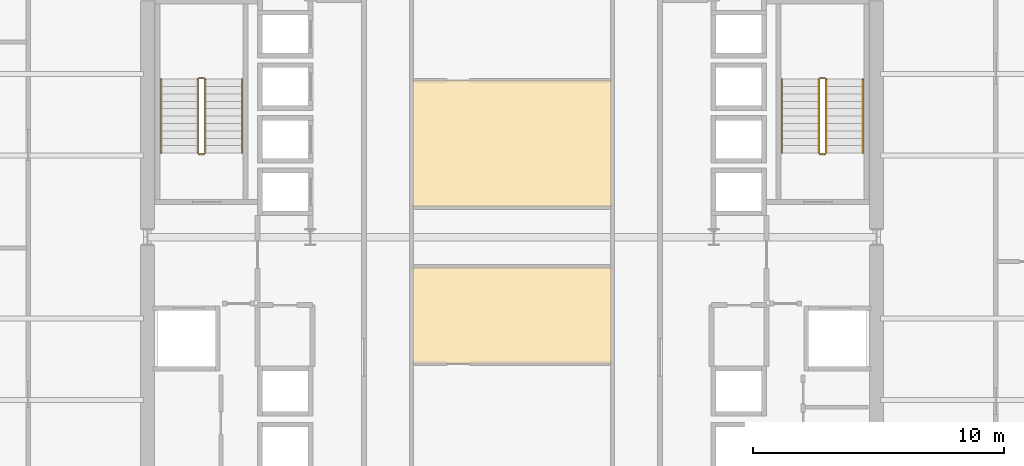
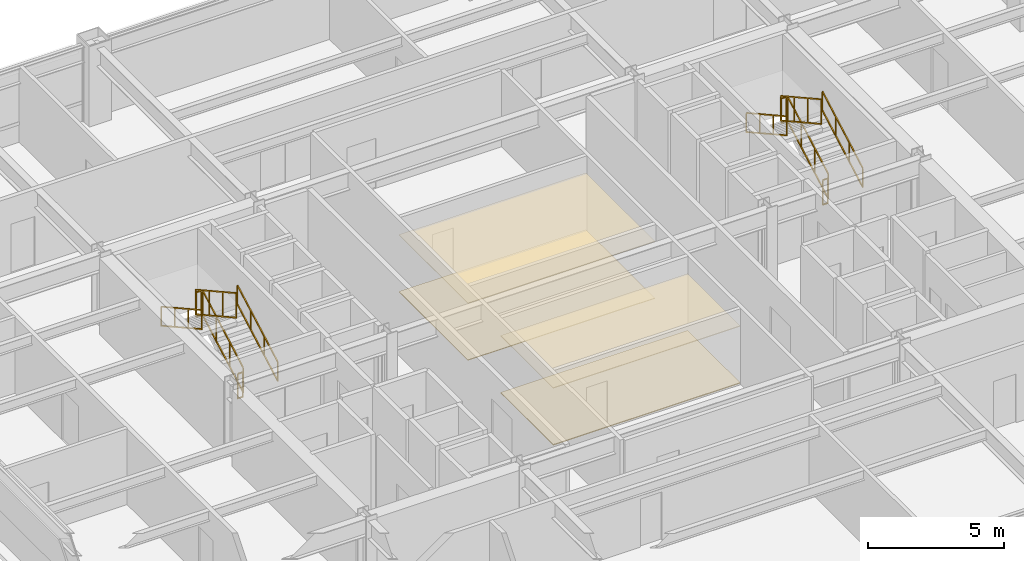
# One storey, part 28 of 28: 12 railings, 4 coverings.
"""IFC4 building model written with IfcOpenShell, lengths in metres."""

from ifc_helpers import new_model, si_unit, direction, frame, origin, origin_2d, place, context, subcontext, project, spatial, polyline, rectangle, outline, extrude, material, layer, layer_set, type_object, element, save


model = new_model("IFC4")

# Units and contexts
model_context = context("Model", 3, precision=1e-05, world=origin(), true_north=direction((0.0, 1.0)))
body_context = subcontext(model_context, "Body", "Model", "MODEL_VIEW")
ifc_project = project(units=[si_unit("LENGTHUNIT", "METRE"), si_unit("AREAUNIT", "SQUARE_METRE"), si_unit("VOLUMEUNIT", "CUBIC_METRE"), si_unit("PLANEANGLEUNIT", "RADIAN"), si_unit("MASSUNIT", "GRAM", prefix="KILO")], contexts=[model_context])

# Site, building, storey
site_placement = place(None, origin())
site = spatial("IfcSite", under=ifc_project, at=site_placement, CompositionType="ELEMENT")
building_placement = place(site_placement, origin())
building = spatial("IfcBuilding", under=site, at=building_placement, Name="Brelmoor Portico Tower", CompositionType="ELEMENT")
storey_placement = place(building_placement, frame((0.0, 0.0, 49.199951171875)))
storey = spatial("IfcBuildingStorey", under=building, at=storey_placement, Name="L12", CompositionType="ELEMENT", Elevation=49.199951171875)

# Coverings
ifc_material_1 = material(Name="Perforated Mineral-Fibre Acoustic Ceiling Tile", Category="gypsum")
ifc_layer_1 = layer(ifc_material_1, 0.02490234375)
ifc_layer_set_1 = layer_set([ifc_layer_1], Name="Perforated Mineral-Fibre Acoustic Ceiling Tile")
covering_type_1 = type_object("IfcCoveringType", Name="CV-CEIL-GYPSUM-25", PredefinedType="CEILING", material=ifc_layer_set_1)
covering_1_placement = place(storey_placement, frame((0.0, 0.0, 2.550048828125)))
element("IfcCovering", 1, at=covering_1_placement, inside=storey, type_object=covering_type_1, Name="L12 Acoustic Suspended Ceiling 01", PredefinedType="CEILING", context=body_context, shape_type="SweptSolid", body=[
    extrude(outline(polyline([(-3.9599609375, 1.199951171875), (-3.9599609375, 6.260009765625), (3.9599609375, 6.260009765625), (3.9599609375, 1.199951171875), (-3.9599609375, 1.199951171875)])), origin(), (0.0, 0.0, 1.0), 0.02490234375),
])
ifc_material_2 = material(Name="Micro-Perforated Aluminium Clip-In Ceiling", Category="aluminium")
ifc_layer_2 = layer(ifc_material_2, 0.031982421875)
ifc_layer_set_2 = layer_set([ifc_layer_2], Name="Micro-Perforated Aluminium Clip-In Ceiling")
covering_type_2 = type_object("IfcCoveringType", Name="CV-CEIL-METAL-32", PredefinedType="CEILING", material=ifc_layer_set_2)
covering_2_placement = place(storey_placement, frame((0.0, 0.0, 2.550048828125)))
element("IfcCovering", 2, at=covering_2_placement, inside=storey, type_object=covering_type_2, Name="L12 Acoustic Suspended Ceiling 02", PredefinedType="CEILING", context=body_context, shape_type="SweptSolid", body=[
    extrude(outline(polyline([(-3.9599609375, -5.06005859375), (-3.9599609375, -1.199951171875), (3.9599609375, -1.199951171875), (3.9599609375, -5.06005859375), (-3.9599609375, -5.06005859375)])), origin(), (0.0, 0.0, 1.0), 0.031982421875),
])
ifc_material_3 = material(Name="Honed Pearl-Grey Granite Paver Finish", Category="masonry")
ifc_layer_3 = layer(ifc_material_3, 0.0380859375)
ifc_layer_set_3 = layer_set([ifc_layer_3], Name="Honed Pearl-Grey Granite Paver Finish")
covering_type_3 = type_object("IfcCoveringType", Name="CV-FLR-GRANITE-38", PredefinedType="FLOORING", material=ifc_layer_set_3)
covering_3_placement = place(storey_placement, origin())
element("IfcCovering", 3, at=covering_3_placement, inside=storey, type_object=covering_type_3, Name="L12 Architectural Floor Finish 02", PredefinedType="FLOORING", context=body_context, shape_type="SweptSolid", body=[
    extrude(outline(polyline([(-3.9599609375, -5.06005859375), (-3.9599609375, -1.199951171875), (3.9599609375, -1.199951171875), (3.9599609375, -5.06005859375), (-3.9599609375, -5.06005859375)])), origin(), (0.0, 0.0, 1.0), 0.0380859375),
])
ifc_material_4 = material(Name="Polished Pale-Aggregate Cementitious Terrazzo", Category="stone")
ifc_layer_4 = layer(ifc_material_4, 0.030029296875)
ifc_layer_set_4 = layer_set([ifc_layer_4], Name="Polished Pale-Aggregate Cementitious Terrazzo")
covering_type_4 = type_object("IfcCoveringType", Name="CV-FLR-TERRAZZO-30", PredefinedType="FLOORING", material=ifc_layer_set_4)
covering_4_placement = place(storey_placement, origin())
element("IfcCovering", 4, at=covering_4_placement, inside=storey, type_object=covering_type_4, Name="L12 Architectural Floor Finish 01", PredefinedType="FLOORING", context=body_context, shape_type="SweptSolid", body=[
    extrude(outline(polyline([(-3.9599609375, 1.199951171875), (-3.9599609375, 6.260009765625), (3.9599609375, 6.260009765625), (3.9599609375, 1.199951171875), (-3.9599609375, 1.199951171875)])), origin(), (0.0, 0.0, 1.0), 0.030029296875),
])

# Railings
ifc_material_5 = material(Name="Painted Tubular Steel Q235B", Category="steel")
railing_type_1 = type_object("IfcRailingType", Name="RL-STAIR-GUARD", PredefinedType="GUARDRAIL", material=ifc_material_5)
railing_1_placement = place(storey_placement, frame((-12.239990234375, 3.35009765625, 0.16357421875)))
element("IfcRailing", 5, at=railing_1_placement, inside=storey, type_object=railing_type_1, Name="L12 ST-W stair guard 1", PredefinedType="GUARDRAIL", context=body_context, shape_type="SweptSolid", body=[
    extrude(rectangle(XDim=0.048095703125, YDim=0.048095703125, at=origin_2d()), frame((0.0, 0.0, 1.1259765625), z_axis=(0.0, 0.874457516365, 0.485102104791), x_axis=(-1.0, 0.0, 0.0)), (0.0, 0.0, 1.0), 3.37353515625),
    extrude(rectangle(XDim=0.048095703125, YDim=0.048095703125, at=origin_2d()), frame((0.0, 0.0, 0.02392578125), z_axis=(0.0, 0.874457516365, 0.485102104791), x_axis=(-1.0, 0.0, 0.0)), (0.0, 0.0, 1.0), 3.37353515625),
    extrude(rectangle(XDim=0.0419921875, YDim=0.0419921875, at=origin_2d()), origin(), (0.0, 0.0, 1.0), 1.101806640625),
    extrude(rectangle(XDim=0.0419921875, YDim=0.0419921875, at=origin_2d()), frame((0.0, 0.9833984375, 0.54541015625)), (0.0, 0.0, 1.0), 1.101806640625),
    extrude(rectangle(XDim=0.0419921875, YDim=0.0419921875, at=origin_2d()), frame((0.0, 1.966552734375, 1.091064453125)), (0.0, 0.0, 1.0), 1.101806640625),
    extrude(rectangle(XDim=0.0419921875, YDim=0.0419921875, at=origin_2d()), frame((0.0, 2.949951171875, 1.636474609375)), (0.0, 0.0, 1.0), 1.101806640625),
])
railing_2_placement = place(storey_placement, frame((-12.2900390625, 6.35009765625, 1.800048828125)))
element("IfcRailing", 6, at=railing_2_placement, inside=storey, type_object=railing_type_1, Name="L12 ST-W stair guard 2", PredefinedType="GUARDRAIL", context=body_context, shape_type="SweptSolid", body=[
    extrude(rectangle(XDim=0.048095703125, YDim=0.048095703125, at=origin_2d()), frame((0.0, 0.0, 1.1259765625), z_axis=(-1.0, 0.0, 0.0), x_axis=(0.0, -1.0, 0.0)), (0.0, 0.0, 1.0), 0.199951171875),
    extrude(rectangle(XDim=0.048095703125, YDim=0.048095703125, at=origin_2d()), frame((0.0, 0.0, 0.02392578125), z_axis=(-1.0, 0.0, 0.0), x_axis=(0.0, -1.0, 0.0)), (0.0, 0.0, 1.0), 0.199951171875),
    extrude(rectangle(XDim=0.0419921875, YDim=0.0419921875, at=origin_2d()), origin(), (0.0, 0.0, 1.0), 1.101806640625),
    extrude(rectangle(XDim=0.0419921875, YDim=0.0419921875, at=origin_2d()), frame((-0.199951171875, 0.0, 0.0)), (0.0, 0.0, 1.0), 1.101806640625),
])
railing_3_placement = place(storey_placement, frame((-12.5400390625, 6.300048828125, 1.963623046875)))
element("IfcRailing", 7, at=railing_3_placement, inside=storey, type_object=railing_type_1, Name="L12 ST-W stair guard 3", PredefinedType="GUARDRAIL", context=body_context, shape_type="SweptSolid", body=[
    extrude(rectangle(XDim=0.048095703125, YDim=0.048095703125, at=origin_2d()), frame((0.0, 0.0, 1.1259765625), z_axis=(0.0, -0.874457516365, 0.485102104791), x_axis=(1.0, 0.0, 0.0)), (0.0, 0.0, 1.0), 3.37353515625),
    extrude(rectangle(XDim=0.048095703125, YDim=0.048095703125, at=origin_2d()), frame((0.0, 0.0, 0.02392578125), z_axis=(0.0, -0.874457516365, 0.485102104791), x_axis=(1.0, 0.0, 0.0)), (0.0, 0.0, 1.0), 3.37353515625),
    extrude(rectangle(XDim=0.0419921875, YDim=0.0419921875, at=origin_2d()), origin(), (0.0, 0.0, 1.0), 1.101806640625),
    extrude(rectangle(XDim=0.0419921875, YDim=0.0419921875, at=origin_2d()), frame((0.0, -0.9833984375, 0.54541015625)), (0.0, 0.0, 1.0), 1.101806640625),
    extrude(rectangle(XDim=0.0419921875, YDim=0.0419921875, at=origin_2d()), frame((0.0, -1.966552734375, 1.091064453125)), (0.0, 0.0, 1.0), 1.101806640625),
    extrude(rectangle(XDim=0.0419921875, YDim=0.0419921875, at=origin_2d()), frame((0.0, -2.949951171875, 1.636474609375)), (0.0, 0.0, 1.0), 1.101806640625),
])
railing_4_placement = place(storey_placement, frame((-12.2900390625, 3.300048828125, 0.0)))
element("IfcRailing", 8, at=railing_4_placement, inside=storey, type_object=railing_type_1, Name="L12 ST-W stair guard 4", PredefinedType="GUARDRAIL", context=body_context, shape_type="SweptSolid", body=[
    extrude(rectangle(XDim=0.048095703125, YDim=0.048095703125, at=origin_2d()), frame((0.0, 0.0, 1.1259765625), z_axis=(-1.0, 0.0, 0.0), x_axis=(0.0, -1.0, 0.0)), (0.0, 0.0, 1.0), 0.199951171875),
    extrude(rectangle(XDim=0.048095703125, YDim=0.048095703125, at=origin_2d()), frame((0.0, 0.0, 0.02392578125), z_axis=(-1.0, 0.0, 0.0), x_axis=(0.0, -1.0, 0.0)), (0.0, 0.0, 1.0), 0.199951171875),
    extrude(rectangle(XDim=0.0419921875, YDim=0.0419921875, at=origin_2d()), origin(), (0.0, 0.0, 1.0), 1.101806640625),
    extrude(rectangle(XDim=0.0419921875, YDim=0.0419921875, at=origin_2d()), frame((-0.199951171875, 0.0, 0.0)), (0.0, 0.0, 1.0), 1.101806640625),
])
railing_5_placement = place(storey_placement, frame((12.5400390625, 3.35009765625, 0.16357421875)))
element("IfcRailing", 9, at=railing_5_placement, inside=storey, type_object=railing_type_1, Name="L12 ST-E stair guard 1", PredefinedType="GUARDRAIL", context=body_context, shape_type="SweptSolid", body=[
    extrude(rectangle(XDim=0.048095703125, YDim=0.048095703125, at=origin_2d()), frame((0.0, 0.0, 1.1259765625), z_axis=(0.0, 0.874457516365, 0.485102104791), x_axis=(-1.0, 0.0, 0.0)), (0.0, 0.0, 1.0), 3.37353515625),
    extrude(rectangle(XDim=0.048095703125, YDim=0.048095703125, at=origin_2d()), frame((0.0, 0.0, 0.02392578125), z_axis=(0.0, 0.874457516365, 0.485102104791), x_axis=(-1.0, 0.0, 0.0)), (0.0, 0.0, 1.0), 3.37353515625),
    extrude(rectangle(XDim=0.0419921875, YDim=0.0419921875, at=origin_2d()), origin(), (0.0, 0.0, 1.0), 1.101806640625),
    extrude(rectangle(XDim=0.0419921875, YDim=0.0419921875, at=origin_2d()), frame((0.0, 0.9833984375, 0.54541015625)), (0.0, 0.0, 1.0), 1.101806640625),
    extrude(rectangle(XDim=0.0419921875, YDim=0.0419921875, at=origin_2d()), frame((0.0, 1.966552734375, 1.091064453125)), (0.0, 0.0, 1.0), 1.101806640625),
    extrude(rectangle(XDim=0.0419921875, YDim=0.0419921875, at=origin_2d()), frame((0.0, 2.949951171875, 1.636474609375)), (0.0, 0.0, 1.0), 1.101806640625),
])
railing_6_placement = place(storey_placement, frame((12.489990234375, 6.35009765625, 1.800048828125)))
element("IfcRailing", 10, at=railing_6_placement, inside=storey, type_object=railing_type_1, Name="L12 ST-E stair guard 2", PredefinedType="GUARDRAIL", context=body_context, shape_type="SweptSolid", body=[
    extrude(rectangle(XDim=0.048095703125, YDim=0.048095703125, at=origin_2d()), frame((0.0, 0.0, 1.1259765625), z_axis=(-1.0, 0.0, 0.0), x_axis=(0.0, -1.0, 0.0)), (0.0, 0.0, 1.0), 0.199951171875),
    extrude(rectangle(XDim=0.048095703125, YDim=0.048095703125, at=origin_2d()), frame((0.0, 0.0, 0.02392578125), z_axis=(-1.0, 0.0, 0.0), x_axis=(0.0, -1.0, 0.0)), (0.0, 0.0, 1.0), 0.199951171875),
    extrude(rectangle(XDim=0.0419921875, YDim=0.0419921875, at=origin_2d()), origin(), (0.0, 0.0, 1.0), 1.101806640625),
    extrude(rectangle(XDim=0.0419921875, YDim=0.0419921875, at=origin_2d()), frame((-0.199951171875, 0.0, 0.0)), (0.0, 0.0, 1.0), 1.101806640625),
])
railing_7_placement = place(storey_placement, frame((12.239990234375, 6.300048828125, 1.963623046875)))
element("IfcRailing", 11, at=railing_7_placement, inside=storey, type_object=railing_type_1, Name="L12 ST-E stair guard 3", PredefinedType="GUARDRAIL", context=body_context, shape_type="SweptSolid", body=[
    extrude(rectangle(XDim=0.048095703125, YDim=0.048095703125, at=origin_2d()), frame((0.0, 0.0, 1.1259765625), z_axis=(0.0, -0.874457516365, 0.485102104791), x_axis=(1.0, 0.0, 0.0)), (0.0, 0.0, 1.0), 3.37353515625),
    extrude(rectangle(XDim=0.048095703125, YDim=0.048095703125, at=origin_2d()), frame((0.0, 0.0, 0.02392578125), z_axis=(0.0, -0.874457516365, 0.485102104791), x_axis=(1.0, 0.0, 0.0)), (0.0, 0.0, 1.0), 3.37353515625),
    extrude(rectangle(XDim=0.0419921875, YDim=0.0419921875, at=origin_2d()), origin(), (0.0, 0.0, 1.0), 1.101806640625),
    extrude(rectangle(XDim=0.0419921875, YDim=0.0419921875, at=origin_2d()), frame((0.0, -0.9833984375, 0.54541015625)), (0.0, 0.0, 1.0), 1.101806640625),
    extrude(rectangle(XDim=0.0419921875, YDim=0.0419921875, at=origin_2d()), frame((0.0, -1.966552734375, 1.091064453125)), (0.0, 0.0, 1.0), 1.101806640625),
    extrude(rectangle(XDim=0.0419921875, YDim=0.0419921875, at=origin_2d()), frame((0.0, -2.949951171875, 1.636474609375)), (0.0, 0.0, 1.0), 1.101806640625),
])
railing_8_placement = place(storey_placement, frame((12.489990234375, 3.300048828125, 0.0)))
element("IfcRailing", 12, at=railing_8_placement, inside=storey, type_object=railing_type_1, Name="L12 ST-E stair guard 4", PredefinedType="GUARDRAIL", context=body_context, shape_type="SweptSolid", body=[
    extrude(rectangle(XDim=0.048095703125, YDim=0.048095703125, at=origin_2d()), frame((0.0, 0.0, 1.1259765625), z_axis=(-1.0, 0.0, 0.0), x_axis=(0.0, -1.0, 0.0)), (0.0, 0.0, 1.0), 0.199951171875),
    extrude(rectangle(XDim=0.048095703125, YDim=0.048095703125, at=origin_2d()), frame((0.0, 0.0, 0.02392578125), z_axis=(-1.0, 0.0, 0.0), x_axis=(0.0, -1.0, 0.0)), (0.0, 0.0, 1.0), 0.199951171875),
    extrude(rectangle(XDim=0.0419921875, YDim=0.0419921875, at=origin_2d()), origin(), (0.0, 0.0, 1.0), 1.101806640625),
    extrude(rectangle(XDim=0.0419921875, YDim=0.0419921875, at=origin_2d()), frame((-0.199951171875, 0.0, 0.0)), (0.0, 0.0, 1.0), 1.101806640625),
])
ifc_material_6 = material(Name="Brushed Stainless Steel 304", Category="steel")
railing_type_2 = type_object("IfcRailingType", Name="RL-STAIR-HANDRAIL", PredefinedType="HANDRAIL", material=ifc_material_6)
railing_9_placement = place(storey_placement, frame((-10.780029296875, 3.35009765625, 0.16357421875)))
element("IfcRailing", 13, at=railing_9_placement, inside=storey, type_object=railing_type_2, Name="L12 ST-W stair handrail 1", PredefinedType="HANDRAIL", context=body_context, shape_type="SweptSolid", body=[
    extrude(rectangle(XDim=0.048095703125, YDim=0.048095703125, at=origin_2d()), frame((0.0, 0.0, 0.8759765625), z_axis=(0.0, 0.874457516365, 0.485102104791), x_axis=(-1.0, 0.0, 0.0)), (0.0, 0.0, 1.0), 3.37353515625),
    extrude(rectangle(XDim=0.048095703125, YDim=0.048095703125, at=origin_2d()), frame((0.0, 0.0, 0.02392578125), z_axis=(0.0, 0.874457516365, 0.485102104791), x_axis=(-1.0, 0.0, 0.0)), (0.0, 0.0, 1.0), 3.37353515625),
    extrude(rectangle(XDim=0.0419921875, YDim=0.0419921875, at=origin_2d()), origin(), (0.0, 0.0, 1.0), 0.851806640625),
    extrude(rectangle(XDim=0.0419921875, YDim=0.0419921875, at=origin_2d()), frame((0.0, 0.9833984375, 0.54541015625)), (0.0, 0.0, 1.0), 0.851806640625),
    extrude(rectangle(XDim=0.0419921875, YDim=0.0419921875, at=origin_2d()), frame((0.0, 1.966552734375, 1.091064453125)), (0.0, 0.0, 1.0), 0.851806640625),
    extrude(rectangle(XDim=0.0419921875, YDim=0.0419921875, at=origin_2d()), frame((0.0, 2.949951171875, 1.636474609375)), (0.0, 0.0, 1.0), 0.851806640625),
])
railing_10_placement = place(storey_placement, frame((-14.0, 6.300048828125, 1.963623046875)))
element("IfcRailing", 14, at=railing_10_placement, inside=storey, type_object=railing_type_2, Name="L12 ST-W stair handrail 2", PredefinedType="HANDRAIL", context=body_context, shape_type="SweptSolid", body=[
    extrude(rectangle(XDim=0.048095703125, YDim=0.048095703125, at=origin_2d()), frame((0.0, 0.0, 0.8759765625), z_axis=(0.0, -0.874457516365, 0.485102104791), x_axis=(1.0, 0.0, 0.0)), (0.0, 0.0, 1.0), 3.37353515625),
    extrude(rectangle(XDim=0.048095703125, YDim=0.048095703125, at=origin_2d()), frame((0.0, 0.0, 0.02392578125), z_axis=(0.0, -0.874457516365, 0.485102104791), x_axis=(1.0, 0.0, 0.0)), (0.0, 0.0, 1.0), 3.37353515625),
    extrude(rectangle(XDim=0.0419921875, YDim=0.0419921875, at=origin_2d()), origin(), (0.0, 0.0, 1.0), 0.851806640625),
    extrude(rectangle(XDim=0.0419921875, YDim=0.0419921875, at=origin_2d()), frame((0.0, -0.9833984375, 0.54541015625)), (0.0, 0.0, 1.0), 0.851806640625),
    extrude(rectangle(XDim=0.0419921875, YDim=0.0419921875, at=origin_2d()), frame((0.0, -1.966552734375, 1.091064453125)), (0.0, 0.0, 1.0), 0.851806640625),
    extrude(rectangle(XDim=0.0419921875, YDim=0.0419921875, at=origin_2d()), frame((0.0, -2.949951171875, 1.636474609375)), (0.0, 0.0, 1.0), 0.851806640625),
])
railing_11_placement = place(storey_placement, frame((14.0, 3.35009765625, 0.16357421875)))
element("IfcRailing", 15, at=railing_11_placement, inside=storey, type_object=railing_type_2, Name="L12 ST-E stair handrail 1", PredefinedType="HANDRAIL", context=body_context, shape_type="SweptSolid", body=[
    extrude(rectangle(XDim=0.048095703125, YDim=0.048095703125, at=origin_2d()), frame((0.0, 0.0, 0.8759765625), z_axis=(0.0, 0.874457516365, 0.485102104791), x_axis=(-1.0, 0.0, 0.0)), (0.0, 0.0, 1.0), 3.37353515625),
    extrude(rectangle(XDim=0.048095703125, YDim=0.048095703125, at=origin_2d()), frame((0.0, 0.0, 0.02392578125), z_axis=(0.0, 0.874457516365, 0.485102104791), x_axis=(-1.0, 0.0, 0.0)), (0.0, 0.0, 1.0), 3.37353515625),
    extrude(rectangle(XDim=0.0419921875, YDim=0.0419921875, at=origin_2d()), origin(), (0.0, 0.0, 1.0), 0.851806640625),
    extrude(rectangle(XDim=0.0419921875, YDim=0.0419921875, at=origin_2d()), frame((0.0, 0.9833984375, 0.54541015625)), (0.0, 0.0, 1.0), 0.851806640625),
    extrude(rectangle(XDim=0.0419921875, YDim=0.0419921875, at=origin_2d()), frame((0.0, 1.966552734375, 1.091064453125)), (0.0, 0.0, 1.0), 0.851806640625),
    extrude(rectangle(XDim=0.0419921875, YDim=0.0419921875, at=origin_2d()), frame((0.0, 2.949951171875, 1.636474609375)), (0.0, 0.0, 1.0), 0.851806640625),
])
railing_12_placement = place(storey_placement, frame((10.780029296875, 6.300048828125, 1.963623046875)))
element("IfcRailing", 16, at=railing_12_placement, inside=storey, type_object=railing_type_2, Name="L12 ST-E stair handrail 2", PredefinedType="HANDRAIL", context=body_context, shape_type="SweptSolid", body=[
    extrude(rectangle(XDim=0.048095703125, YDim=0.048095703125, at=origin_2d()), frame((0.0, 0.0, 0.8759765625), z_axis=(0.0, -0.874457516365, 0.485102104791), x_axis=(1.0, 0.0, 0.0)), (0.0, 0.0, 1.0), 3.37353515625),
    extrude(rectangle(XDim=0.048095703125, YDim=0.048095703125, at=origin_2d()), frame((0.0, 0.0, 0.02392578125), z_axis=(0.0, -0.874457516365, 0.485102104791), x_axis=(1.0, 0.0, 0.0)), (0.0, 0.0, 1.0), 3.37353515625),
    extrude(rectangle(XDim=0.0419921875, YDim=0.0419921875, at=origin_2d()), origin(), (0.0, 0.0, 1.0), 0.851806640625),
    extrude(rectangle(XDim=0.0419921875, YDim=0.0419921875, at=origin_2d()), frame((0.0, -0.9833984375, 0.54541015625)), (0.0, 0.0, 1.0), 0.851806640625),
    extrude(rectangle(XDim=0.0419921875, YDim=0.0419921875, at=origin_2d()), frame((0.0, -1.966552734375, 1.091064453125)), (0.0, 0.0, 1.0), 0.851806640625),
    extrude(rectangle(XDim=0.0419921875, YDim=0.0419921875, at=origin_2d()), frame((0.0, -2.949951171875, 1.636474609375)), (0.0, 0.0, 1.0), 0.851806640625),
])

save(model, "model.ifc")
